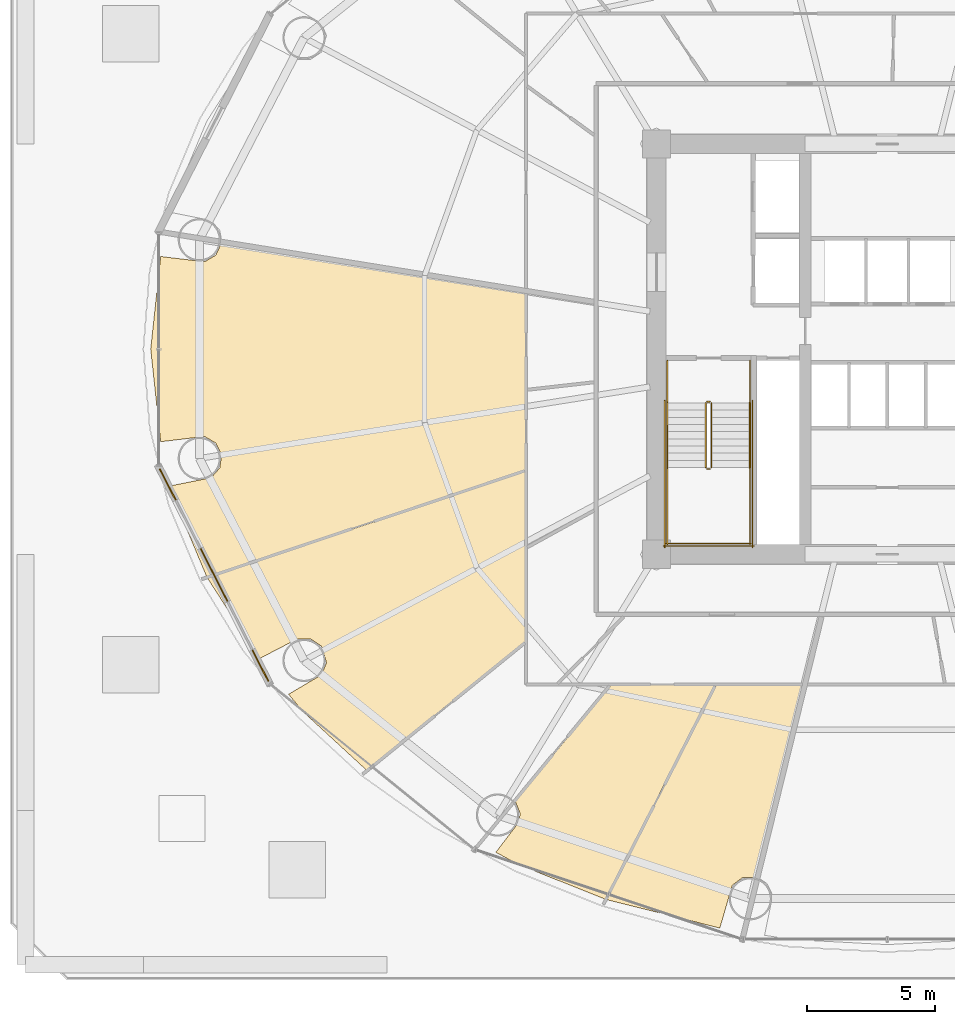
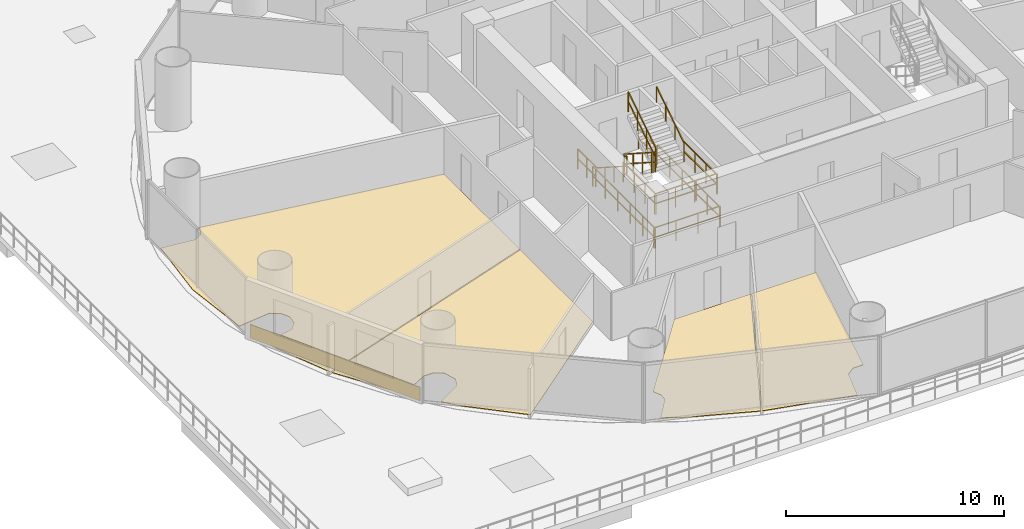
# One storey, part 34 of 37: 14 railings, 5 coverings.
"""IFC4 building model written with IfcOpenShell, lengths in metres."""

from ifc_helpers import new_model, si_unit, direction, frame, origin, origin_2d, place, context, subcontext, project, spatial, polyline, rectangle, outline, extrude, source, transform, mapped, material, layer, layer_set, type_object, element, save


model = new_model("IFC4")

# Units and contexts
model_context = context("Model", 3, precision=1e-05, world=origin(), true_north=direction((-0.2419218956, 0.970295726276)))
body_context = subcontext(model_context, "Body", "Model", "MODEL_VIEW")
ifc_project = project(units=[si_unit("LENGTHUNIT", "METRE"), si_unit("AREAUNIT", "SQUARE_METRE"), si_unit("VOLUMEUNIT", "CUBIC_METRE"), si_unit("PLANEANGLEUNIT", "RADIAN"), si_unit("MASSUNIT", "GRAM", prefix="KILO")], contexts=[model_context])

# Site, building, storey
site_placement = place(None, origin())
site = spatial("IfcSite", under=ifc_project, at=site_placement, CompositionType="ELEMENT")
building_placement = place(site_placement, origin())
building = spatial("IfcBuilding", under=site, at=building_placement, Name="Cobrevalo Terracotta Tower", CompositionType="ELEMENT")
storey_placement = place(building_placement, frame((0.0, 0.0, 24.0)))
storey = spatial("IfcBuildingStorey", under=building, at=storey_placement, Name="L05", CompositionType="ELEMENT", Elevation=24.0)

# Coverings
ifc_material_1 = material(Name="Engineered Brazilian hardwood flooring", Category="wood")
ifc_layer_1 = layer(ifc_material_1, 0.028076171875)
ifc_layer_set_1 = layer_set([ifc_layer_1], Name="Engineered Brazilian hardwood flooring")
covering_type_1 = type_object("IfcCoveringType", Name="Engineered Hardwood Suite Flooring 28", PredefinedType="FLOORING", material=ifc_layer_set_1)
covering_1_placement = place(storey_placement, origin())
element("IfcCovering", 1, at=covering_1_placement, inside=storey, type_object=covering_type_1, Name="Flat L05C Penthouse Living and Dining Room floor finish", PredefinedType="FLOORING", context=body_context, shape_type="SweptSolid", body=[
    extrude(outline(polyline([(10.25830078125, 20.791259765625), (10.090576171875, 21.473876953125), (11.6357421875, 21.787109375), (11.974853515625, 22.169189453125), (12.044677734375, 22.67529296875), (11.821533203125, 23.135009765625), (11.380615234375, 23.39306640625), (9.668701171875, 23.18896484375), (9.280029296875, 26.800048828125), (9.668701171875, 30.4111328125), (11.380615234375, 30.206787109375), (11.821533203125, 30.465087890625), (12.047119140625, 30.963134765625), (23.89501953125, 29.05322265625), (23.89501953125, 22.086669921875), (11.468505859375, 17.91552734375), (10.25830078125, 20.791259765625)])), origin(), (0.0, 0.0, 1.0), 0.030029296875),
])
covering_2_placement = place(storey_placement, origin())
element("IfcCovering", 2, at=covering_2_placement, inside=storey, type_object=covering_type_1, Name="Flat L05C Private Cinema Room floor finish", PredefinedType="FLOORING", context=body_context, shape_type="SweptSolid", body=[
    extrude(outline(polyline([(15.213623046875, 12.666259765625), (14.65576171875, 13.341064453125), (15.939208984375, 14.10205078125), (16.135009765625, 14.573974609375), (15.93994140625, 15.21875), (15.51513671875, 15.5029296875), (15.00439453125, 15.503173828125), (13.511962890625, 14.7255859375), (11.4873046875, 17.8798828125), (23.89501953125, 22.04443359375), (23.89501953125, 15.395751953125), (17.701416015625, 10.376953125), (15.213623046875, 12.666259765625)])), origin(), (0.0, 0.0, 1.0), 0.030029296875),
])
covering_3_placement = place(storey_placement, origin())
element("IfcCovering", 3, at=covering_3_placement, inside=storey, type_object=covering_type_1, Name="Flat L05C Penthouse Family Lounge floor finish", PredefinedType="FLOORING", context=body_context, shape_type="SweptSolid", body=[
    extrude(outline(polyline([(22.73681640625, 7.178955078125), (23.64501953125, 8.369140625), (23.681884765625, 8.71044921875), (23.4951171875, 9.177490234375), (27.219970703125, 13.695068359375), (31.27880859375, 13.695068359375), (27.0126953125, 5.3486328125), (23.638427734375, 6.691650390625), (22.73681640625, 7.178955078125)])), origin(), (0.0, 0.0, 1.0), 0.030029296875),
])
covering_4_placement = place(storey_placement, origin())
element("IfcCovering", 4, at=covering_4_placement, inside=storey, type_object=covering_type_1, Name="Flat L05C Penthouse Family Lounge floor finish", PredefinedType="FLOORING", context=body_context, shape_type="SweptSolid", body=[
    extrude(outline(polyline([(32.924560546875, 6.20703125), (32.36669921875, 6.197998046875), (31.95654296875, 5.89306640625), (31.472412109375, 4.2255859375), (27.051025390625, 5.336181640625), (31.32373046875, 13.695068359375), (34.762451171875, 13.695068359375), (32.924560546875, 6.20703125)])), origin(), (0.0, 0.0, 1.0), 0.030029296875),
])

# Railings
ifc_material_2 = material(Name="Brushed stainless steel", Category="steel")
railing_type_1 = type_object("IfcRailingType", Name="Stainless Steel Stair Handrail 900", PredefinedType="HANDRAIL", material=ifc_material_2)
railing_1_placement = place(storey_placement, frame((29.425048828125, 24.699951171875, 0.179931640625)))
element("IfcRailing", 5, at=railing_1_placement, inside=storey, type_object=railing_type_1, Name="L05 ST-1 stair handrail 1", PredefinedType="HANDRAIL", context=body_context, shape_type="SweptSolid", body=[
    extrude(rectangle(XDim=0.048095703125, YDim=0.048095703125, at=origin_2d()), frame((0.0, 0.0, 0.8759765625), z_axis=(0.0, -0.841162588446, 0.540782303519), x_axis=(1.0, 0.0, 0.0)), (0.0, 0.0, 1.0), 2.995849609375),
    extrude(rectangle(XDim=0.0419921875, YDim=0.0419921875, at=origin_2d()), origin(), (0.0, 0.0, 1.0), 0.851806640625),
    extrude(rectangle(XDim=0.0419921875, YDim=0.0419921875, at=origin_2d()), frame((0.0, -0.840087890625, 0.5400390625)), (0.0, 0.0, 1.0), 0.851806640625),
    extrude(rectangle(XDim=0.0419921875, YDim=0.0419921875, at=origin_2d()), frame((0.0, -1.679931640625, 1.080078125)), (0.0, 0.0, 1.0), 0.851806640625),
    extrude(rectangle(XDim=0.0419921875, YDim=0.0419921875, at=origin_2d()), frame((0.0, -2.52001953125, 1.6201171875)), (0.0, 0.0, 1.0), 0.851806640625),
])
railing_2_placement = place(storey_placement, frame((32.64501953125, 22.179931640625, 1.97998046875)))
element("IfcRailing", 6, at=railing_2_placement, inside=storey, type_object=railing_type_1, Name="L05 ST-1 stair handrail 2", PredefinedType="HANDRAIL", context=body_context, shape_type="SweptSolid", body=[
    extrude(rectangle(XDim=0.048095703125, YDim=0.048095703125, at=origin_2d()), frame((0.0, 0.0, 0.8759765625), z_axis=(0.0, 0.841162588446, 0.540782303519), x_axis=(-1.0, 0.0, 0.0)), (0.0, 0.0, 1.0), 2.995849609375),
    extrude(rectangle(XDim=0.0419921875, YDim=0.0419921875, at=origin_2d()), origin(), (0.0, 0.0, 1.0), 0.851806640625),
    extrude(rectangle(XDim=0.0419921875, YDim=0.0419921875, at=origin_2d()), frame((0.0, 0.840087890625, 0.5400390625)), (0.0, 0.0, 1.0), 0.851806640625),
    extrude(rectangle(XDim=0.0419921875, YDim=0.0419921875, at=origin_2d()), frame((0.0, 1.679931640625, 1.080078125)), (0.0, 0.0, 1.0), 0.851806640625),
    extrude(rectangle(XDim=0.0419921875, YDim=0.0419921875, at=origin_2d()), frame((0.0, 2.52001953125, 1.6201171875)), (0.0, 0.0, 1.0), 0.851806640625),
])
ifc_material_3 = material(Name="Painted galvanized steel", Category="steel")
railing_type_2 = type_object("IfcRailingType", Name="Stair Well Guard Balustrade 1150", PredefinedType="GUARDRAIL", material=ifc_material_3)
railing_3_placement = place(storey_placement, frame((30.925048828125, 24.699951171875, 0.179931640625)))
element("IfcRailing", 7, at=railing_3_placement, inside=storey, type_object=railing_type_2, Name="L05 ST-1 stair guard 1", PredefinedType="GUARDRAIL", context=body_context, shape_type="SweptSolid", body=[
    extrude(rectangle(XDim=0.048095703125, YDim=0.048095703125, at=origin_2d()), frame((0.0, 0.0, 1.1259765625), z_axis=(0.0, -0.841162588446, 0.540782303519), x_axis=(1.0, 0.0, 0.0)), (0.0, 0.0, 1.0), 2.995849609375),
    extrude(rectangle(XDim=0.048095703125, YDim=0.048095703125, at=origin_2d()), frame((0.0, 0.0, 0.574951171875), z_axis=(0.0, -0.841162588446, 0.540782303519), x_axis=(1.0, 0.0, 0.0)), (0.0, 0.0, 1.0), 2.995849609375),
    extrude(rectangle(XDim=0.0419921875, YDim=0.0419921875, at=origin_2d()), origin(), (0.0, 0.0, 1.0), 1.101806640625),
    extrude(rectangle(XDim=0.0419921875, YDim=0.0419921875, at=origin_2d()), frame((0.0, -0.840087890625, 0.5400390625)), (0.0, 0.0, 1.0), 1.101806640625),
    extrude(rectangle(XDim=0.0419921875, YDim=0.0419921875, at=origin_2d()), frame((0.0, -1.679931640625, 1.080078125)), (0.0, 0.0, 1.0), 1.101806640625),
    extrude(rectangle(XDim=0.0419921875, YDim=0.0419921875, at=origin_2d()), frame((0.0, -2.52001953125, 1.6201171875)), (0.0, 0.0, 1.0), 1.101806640625),
])
railing_4_placement = place(storey_placement, frame((30.97509765625, 22.1298828125, 1.800048828125)))
element("IfcRailing", 8, at=railing_4_placement, inside=storey, type_object=railing_type_2, Name="L05 ST-1 stair guard 2", PredefinedType="GUARDRAIL", context=body_context, shape_type="SweptSolid", body=[
    extrude(rectangle(XDim=0.048095703125, YDim=0.048095703125, at=origin_2d()), frame((0.0, 0.0, 1.1259765625), z_axis=(1.0, 0.0, 0.0), x_axis=(0.0, 1.0, 0.0)), (0.0, 0.0, 1.0), 0.119873046875),
    extrude(rectangle(XDim=0.048095703125, YDim=0.048095703125, at=origin_2d()), frame((0.0, 0.0, 0.574951171875), z_axis=(1.0, 0.0, 0.0), x_axis=(0.0, 1.0, 0.0)), (0.0, 0.0, 1.0), 0.119873046875),
    extrude(rectangle(XDim=0.0419921875, YDim=0.0419921875, at=origin_2d()), origin(), (0.0, 0.0, 1.0), 1.101806640625),
    extrude(rectangle(XDim=0.0419921875, YDim=0.0419921875, at=origin_2d()), frame((0.119873046875, 0.0, 0.0)), (0.0, 0.0, 1.0), 1.101806640625),
])
for number, where, name in (
    (9, (29.425048828125, 22.179931640625, 1.800048828125), "L05 ST-1 stair guard 3"),
    (10, (32.64501953125, 22.179931640625, 1.800048828125), "L05 ST-1 stair guard 4"),
):
    element("IfcRailing", number, at=place(storey_placement, frame(where)), inside=storey, type_object=railing_type_2, Name=name, PredefinedType="GUARDRAIL", context=body_context, shape_type="SweptSolid", body=[
        extrude(rectangle(XDim=0.048095703125, YDim=0.048095703125, at=origin_2d()), frame((0.0, 0.0, 1.1259765625), z_axis=(0.0, -1.0, 0.0), x_axis=(1.0, 0.0, 0.0)), (0.0, 0.0, 1.0), 3.0048828125),
        extrude(rectangle(XDim=0.048095703125, YDim=0.048095703125, at=origin_2d()), frame((0.0, 0.0, 0.574951171875), z_axis=(0.0, -1.0, 0.0), x_axis=(1.0, 0.0, 0.0)), (0.0, 0.0, 1.0), 3.0048828125),
        extrude(rectangle(XDim=0.0419921875, YDim=0.0419921875, at=origin_2d()), origin(), (0.0, 0.0, 1.0), 1.101806640625),
        extrude(rectangle(XDim=0.0419921875, YDim=0.0419921875, at=origin_2d()), frame((0.0, -1.001708984375, 0.0)), (0.0, 0.0, 1.0), 1.101806640625),
        extrude(rectangle(XDim=0.0419921875, YDim=0.0419921875, at=origin_2d()), frame((0.0, -2.003173828125, 0.0)), (0.0, 0.0, 1.0), 1.101806640625),
        extrude(rectangle(XDim=0.0419921875, YDim=0.0419921875, at=origin_2d()), frame((0.0, -3.0048828125, 0.0)), (0.0, 0.0, 1.0), 1.101806640625),
    ])
railing_5_placement = place(storey_placement, frame((29.375, 19.22509765625, 1.800048828125)))
element("IfcRailing", 11, at=railing_5_placement, inside=storey, type_object=railing_type_2, Name="L05 ST-1 stair guard 5", PredefinedType="GUARDRAIL", context=body_context, shape_type="SweptSolid", body=[
    extrude(rectangle(XDim=0.048095703125, YDim=0.048095703125, at=origin_2d()), frame((0.0, 0.0, 1.1259765625), z_axis=(1.0, 0.0, 0.0), x_axis=(0.0, 1.0, 0.0)), (0.0, 0.0, 1.0), 3.320068359375),
    extrude(rectangle(XDim=0.048095703125, YDim=0.048095703125, at=origin_2d()), frame((0.0, 0.0, 0.574951171875), z_axis=(1.0, 0.0, 0.0), x_axis=(0.0, 1.0, 0.0)), (0.0, 0.0, 1.0), 3.320068359375),
    extrude(rectangle(XDim=0.0419921875, YDim=0.0419921875, at=origin_2d()), origin(), (0.0, 0.0, 1.0), 1.101806640625),
    extrude(rectangle(XDim=0.0419921875, YDim=0.0419921875, at=origin_2d()), frame((1.106689453125, 0.0, 0.0)), (0.0, 0.0, 1.0), 1.101806640625),
    extrude(rectangle(XDim=0.0419921875, YDim=0.0419921875, at=origin_2d()), frame((2.21337890625, 0.0, 0.0)), (0.0, 0.0, 1.0), 1.101806640625),
    extrude(rectangle(XDim=0.0419921875, YDim=0.0419921875, at=origin_2d()), frame((3.320068359375, 0.0, 0.0)), (0.0, 0.0, 1.0), 1.101806640625),
])
railing_6_placement = place(storey_placement, frame((31.14501953125, 22.179931640625, 1.97998046875)))
element("IfcRailing", 12, at=railing_6_placement, inside=storey, type_object=railing_type_2, Name="L05 ST-1 stair guard 6", PredefinedType="GUARDRAIL", context=body_context, shape_type="SweptSolid", body=[
    extrude(rectangle(XDim=0.048095703125, YDim=0.048095703125, at=origin_2d()), frame((0.0, 0.0, 1.1259765625), z_axis=(0.0, 0.841162588446, 0.540782303519), x_axis=(-1.0, 0.0, 0.0)), (0.0, 0.0, 1.0), 2.995849609375),
    extrude(rectangle(XDim=0.048095703125, YDim=0.048095703125, at=origin_2d()), frame((0.0, 0.0, 0.574951171875), z_axis=(0.0, 0.841162588446, 0.540782303519), x_axis=(-1.0, 0.0, 0.0)), (0.0, 0.0, 1.0), 2.995849609375),
    extrude(rectangle(XDim=0.0419921875, YDim=0.0419921875, at=origin_2d()), origin(), (0.0, 0.0, 1.0), 1.101806640625),
    extrude(rectangle(XDim=0.0419921875, YDim=0.0419921875, at=origin_2d()), frame((0.0, 0.840087890625, 0.5400390625)), (0.0, 0.0, 1.0), 1.101806640625),
    extrude(rectangle(XDim=0.0419921875, YDim=0.0419921875, at=origin_2d()), frame((0.0, 1.679931640625, 1.080078125)), (0.0, 0.0, 1.0), 1.101806640625),
    extrude(rectangle(XDim=0.0419921875, YDim=0.0419921875, at=origin_2d()), frame((0.0, 2.52001953125, 1.6201171875)), (0.0, 0.0, 1.0), 1.101806640625),
])
railing_7_placement = place(storey_placement, frame((30.97509765625, 24.75, 0.0)))
element("IfcRailing", 13, at=railing_7_placement, inside=storey, type_object=railing_type_2, Name="L05 ST-1 stair guard 7", PredefinedType="GUARDRAIL", context=body_context, shape_type="SweptSolid", body=[
    extrude(rectangle(XDim=0.048095703125, YDim=0.048095703125, at=origin_2d()), frame((0.0, 0.0, 1.1259765625), z_axis=(1.0, 0.0, 0.0), x_axis=(0.0, 1.0, 0.0)), (0.0, 0.0, 1.0), 0.119873046875),
    extrude(rectangle(XDim=0.048095703125, YDim=0.048095703125, at=origin_2d()), frame((0.0, 0.0, 0.574951171875), z_axis=(1.0, 0.0, 0.0), x_axis=(0.0, 1.0, 0.0)), (0.0, 0.0, 1.0), 0.119873046875),
    extrude(rectangle(XDim=0.0419921875, YDim=0.0419921875, at=origin_2d()), origin(), (0.0, 0.0, 1.0), 1.101806640625),
    extrude(rectangle(XDim=0.0419921875, YDim=0.0419921875, at=origin_2d()), frame((0.119873046875, 0.0, 0.0)), (0.0, 0.0, 1.0), 1.101806640625),
])
for number, where, name in (
    (14, (29.425048828125, 26.35009765625, 0.0), "L05 ST-1 stair guard 8"),
    (15, (32.64501953125, 26.35009765625, 0.0), "L05 ST-1 stair guard 9"),
):
    element("IfcRailing", number, at=place(storey_placement, frame(where)), inside=storey, type_object=railing_type_2, Name=name, PredefinedType="GUARDRAIL", context=body_context, shape_type="SweptSolid", body=[
        extrude(rectangle(XDim=0.048095703125, YDim=0.048095703125, at=origin_2d()), frame((0.0, 0.0, 1.1259765625), z_axis=(0.0, -1.0, 0.0), x_axis=(1.0, 0.0, 0.0)), (0.0, 0.0, 1.0), 1.650146484375),
        extrude(rectangle(XDim=0.048095703125, YDim=0.048095703125, at=origin_2d()), frame((0.0, 0.0, 0.574951171875), z_axis=(0.0, -1.0, 0.0), x_axis=(1.0, 0.0, 0.0)), (0.0, 0.0, 1.0), 1.650146484375),
        extrude(rectangle(XDim=0.0419921875, YDim=0.0419921875, at=origin_2d()), origin(), (0.0, 0.0, 1.0), 1.101806640625),
        extrude(rectangle(XDim=0.0419921875, YDim=0.0419921875, at=origin_2d()), frame((0.0, -0.8251953125, 0.0)), (0.0, 0.0, 1.0), 1.101806640625),
        extrude(rectangle(XDim=0.0419921875, YDim=0.0419921875, at=origin_2d()), frame((0.0, -1.650146484375, 0.0)), (0.0, 0.0, 1.0), 1.101806640625),
    ])
for number, where, name in (
    (16, (29.324951171875, 24.800048828125, 0.0), "L05 ST-1 stair guard 10"),
    (17, (32.7451171875, 24.800048828125, 0.0), "L05 ST-1 stair guard 11"),
):
    element("IfcRailing", number, at=place(storey_placement, frame(where)), inside=storey, type_object=railing_type_2, Name=name, PredefinedType="GUARDRAIL", context=body_context, shape_type="SweptSolid", body=[
        extrude(rectangle(XDim=0.048095703125, YDim=0.048095703125, at=origin_2d()), frame((0.0, 0.0, 1.1259765625), z_axis=(0.0, -1.0, 0.0), x_axis=(1.0, 0.0, 0.0)), (0.0, 0.0, 1.0), 5.72509765625),
        extrude(rectangle(XDim=0.048095703125, YDim=0.048095703125, at=origin_2d()), frame((0.0, 0.0, 0.574951171875), z_axis=(0.0, -1.0, 0.0), x_axis=(1.0, 0.0, 0.0)), (0.0, 0.0, 1.0), 5.72509765625),
        extrude(rectangle(XDim=0.0419921875, YDim=0.0419921875, at=origin_2d()), origin(), (0.0, 0.0, 1.0), 1.101806640625),
        extrude(rectangle(XDim=0.0419921875, YDim=0.0419921875, at=origin_2d()), frame((0.0, -1.14501953125, 0.0)), (0.0, 0.0, 1.0), 1.101806640625),
        extrude(rectangle(XDim=0.0419921875, YDim=0.0419921875, at=origin_2d()), frame((0.0, -2.2900390625, 0.0)), (0.0, 0.0, 1.0), 1.101806640625),
        extrude(rectangle(XDim=0.0419921875, YDim=0.0419921875, at=origin_2d()), frame((0.0, -3.43505859375, 0.0)), (0.0, 0.0, 1.0), 1.101806640625),
        extrude(rectangle(XDim=0.0419921875, YDim=0.0419921875, at=origin_2d()), frame((0.0, -4.580078125, 0.0)), (0.0, 0.0, 1.0), 1.101806640625),
        extrude(rectangle(XDim=0.0419921875, YDim=0.0419921875, at=origin_2d()), frame((0.0, -5.72509765625, 0.0)), (0.0, 0.0, 1.0), 1.101806640625),
    ])
railing_8_placement = place(storey_placement, frame((29.27490234375, 19.125, 0.0)))
element("IfcRailing", 18, at=railing_8_placement, inside=storey, type_object=railing_type_2, Name="L05 ST-1 stair guard 12", PredefinedType="GUARDRAIL", context=body_context, shape_type="SweptSolid", body=[
    extrude(rectangle(XDim=0.048095703125, YDim=0.048095703125, at=origin_2d()), frame((0.0, 0.0, 1.1259765625), z_axis=(1.0, 0.0, 0.0), x_axis=(0.0, 1.0, 0.0)), (0.0, 0.0, 1.0), 3.52001953125),
    extrude(rectangle(XDim=0.048095703125, YDim=0.048095703125, at=origin_2d()), frame((0.0, 0.0, 0.574951171875), z_axis=(1.0, 0.0, 0.0), x_axis=(0.0, 1.0, 0.0)), (0.0, 0.0, 1.0), 3.52001953125),
    extrude(rectangle(XDim=0.0419921875, YDim=0.0419921875, at=origin_2d()), origin(), (0.0, 0.0, 1.0), 1.101806640625),
    extrude(rectangle(XDim=0.0419921875, YDim=0.0419921875, at=origin_2d()), frame((1.17333984375, 0.0, 0.0)), (0.0, 0.0, 1.0), 1.101806640625),
    extrude(rectangle(XDim=0.0419921875, YDim=0.0419921875, at=origin_2d()), frame((2.3466796875, 0.0, 0.0)), (0.0, 0.0, 1.0), 1.101806640625),
    extrude(rectangle(XDim=0.0419921875, YDim=0.0419921875, at=origin_2d()), frame((3.52001953125, 0.0, 0.0)), (0.0, 0.0, 1.0), 1.101806640625),
])

# Covering
ifc_material_4 = material(Name="Glazed terracotta facade cladding tile", Category="masonry")
ifc_layer_2 = layer(ifc_material_4, 0.044921875)
ifc_layer_set_2 = layer_set([ifc_layer_2], Name="Glazed terracotta facade cladding tile")
covering_type_2 = type_object("IfcCoveringType", Name="Architectural terracotta rainscreen spandrel cladding 45 mm", PredefinedType="CLADDING", material=ifc_layer_set_2)
shared_shape = source(origin(), body_context, "Body", "SweptSolid", [
    extrude(rectangle(XDim=9.30224609375, YDim=0.044921875, at=origin_2d()), origin(), (0.0, 0.0, 1.0), 0.760009765625),
])
covering_5_placement = place(storey_placement, frame((11.74951171875, 17.990966796875, 0.0400390625), z_axis=(0.0, 0.0, 1.0), x_axis=(0.45523102861, -0.890373354605, 0.0)))
element("IfcCovering", 19, at=covering_5_placement, inside=storey, type_object=covering_type_2, Name="L05 terracotta spandrel cladding S09", PredefinedType="CLADDING", context=body_context, shape_type="MappedRepresentation", body=[
    mapped(shared_shape, transform((0.0, 0.0, 0.0), scale=1.0)),
])

save(model, "model.ifc")
